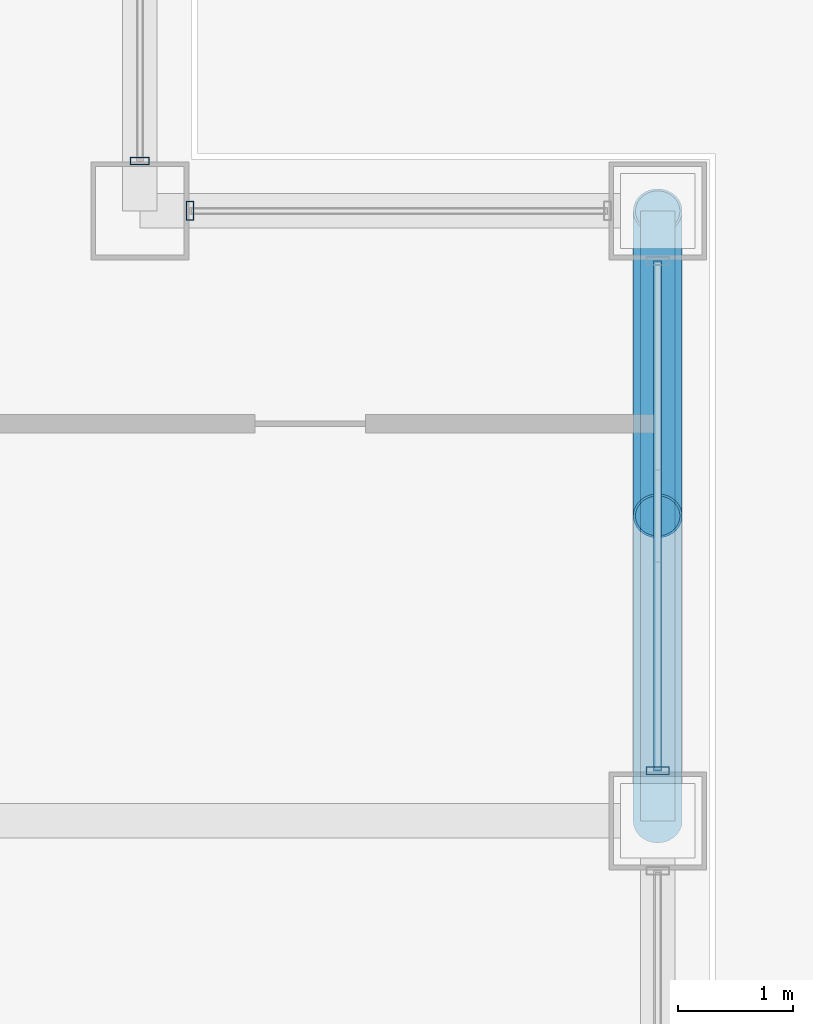
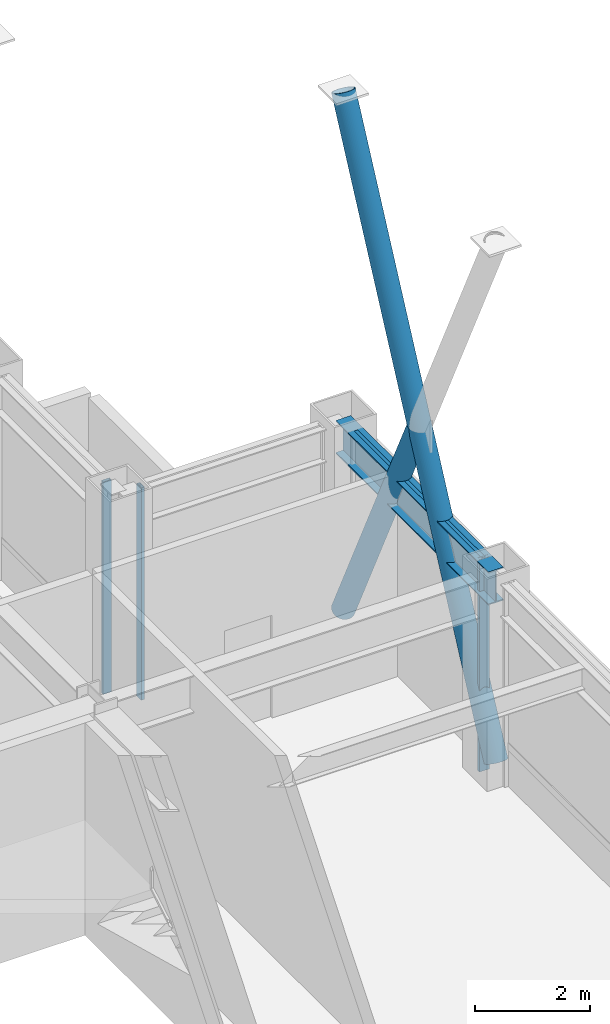
# One storey, part 24 of 32: 6 members, 1 beam, 3 elements without a shape of their own.
"""IFC4 building model written with IfcOpenShell, lengths in metres."""

from ifc_helpers import new_model, si_unit, direction, frame, origin, origin_2d, place, context, subcontext, project, spatial, hollow_rectangle, hollow_circle, i_section, extrude, material, layer, layer_set, material_profile, profile_set, type_object, element, aggregate, save


model = new_model("IFC4")

# Units and contexts
model_context = context("Model", 3, precision=1e-05, world=origin(), true_north=direction((0.0, 1.0)))
body_context = subcontext(model_context, "Body", "Model", "MODEL_VIEW")
ifc_project = project(units=[si_unit("LENGTHUNIT", "METRE"), si_unit("AREAUNIT", "SQUARE_METRE"), si_unit("VOLUMEUNIT", "CUBIC_METRE"), si_unit("PLANEANGLEUNIT", "RADIAN"), si_unit("MASSUNIT", "GRAM", prefix="KILO")], contexts=[model_context])

# Site, building, storey
site_placement = place(None, origin())
site = spatial("IfcSite", under=ifc_project, at=site_placement, CompositionType="ELEMENT")
building_placement = place(site_placement, origin())
building = spatial("IfcBuilding", under=site, at=building_placement, Name="Brelmoor Portico Tower", CompositionType="ELEMENT")
storey_placement = place(building_placement, frame((0.0, 0.0, 87.300048828125)))
storey = spatial("IfcBuildingStorey", under=building, at=storey_placement, Name="L22", CompositionType="ELEMENT", Elevation=87.300048828125)

# Beam
ifc_material_1 = material(Name="Steel Q355B", Category="steel")
ifc_material_profile_1 = material_profile(ifc_material_1, i_section(OverallWidth=0.300048828125, OverallDepth=0.699951171875, WebThickness=0.012939453125, FlangeThickness=0.02392578125, at=origin_2d()), Name="HN 700x300x13x24")
ifc_profile_set_1 = profile_set([ifc_material_profile_1], Name="Steel Q355B")
beam_type = type_object("IfcBeamType", Name="BM-SP-700", PredefinedType="SPANDREL", material=ifc_profile_set_1)
beam_placement = place(storey_placement, frame((22.550048828125, 9.75, 3.949951171875), z_axis=(0.0, 1.0, 0.0), x_axis=(-1.0, 0.0, 0.0)))
element("IfcBeam", 1, at=beam_placement, inside=storey, type_object=beam_type, Name="L22 Perimeter Spandrel Beam SP-24", PredefinedType="SPANDREL", context=body_context, shape_type="SweptSolid", body=[
    extrude(i_section(OverallWidth=0.300048828125, OverallDepth=0.699951171875, WebThickness=0.012939453125, FlangeThickness=0.02392578125, at=origin_2d()), origin(), (0.0, 0.0, 1.0), 5.300048828125),
])

# Members
ifc_material_profile_2 = material_profile(ifc_material_1, hollow_circle(Radius=0.212890625, WallThickness=0.02001953125, at=origin_2d()), Name="CHS 426x20")
ifc_profile_set_2 = profile_set([ifc_material_profile_2], Name="Steel Q355B")
member_type_1 = type_object("IfcMemberType", Name="MB-BELT-DIAG1", PredefinedType="BRACE", material=ifc_profile_set_2)
member_1_placement = place(storey_placement, frame((22.550048828125, 9.75, 0.25), z_axis=(0.0, 0.434065090661, 0.900881511116), x_axis=(-1.0, 0.0, 0.0)))
element("IfcMember", 2, at=member_1_placement, inside=storey, type_object=member_type_1, Name="L22 Continuous Mega-X Brace 049A", PredefinedType="BRACE", context=body_context, shape_type="SweptSolid", body=[
    extrude(hollow_circle(Radius=0.212890625, WallThickness=0.02001953125, at=origin_2d()), origin(), (0.0, 0.0, 1.0), 12.210205078125),
])
member_2_placement = place(storey_placement, frame((22.550048828125, 15.050048828125, 0.25), z_axis=(0.0, -0.434081317903, 0.900873692283), x_axis=(1.0, 0.0, 0.0)))
element("IfcMember", 3, at=member_2_placement, inside=storey, type_object=member_type_1, Name="L22 Split Mega-X Brace 049B1", PredefinedType="BRACE", context=body_context, shape_type="SweptSolid", body=[
    extrude(hollow_circle(Radius=0.212890625, WallThickness=0.02001953125, at=origin_2d()), origin(), (0.0, 0.0, 1.0), 6.105224609375),
])

# Curtain wall, member
ifc_material_2 = material(Name="Anodised Aluminium Alloy 6063-T6", Category="aluminium")
ifc_layer_1 = layer(ifc_material_2, 0.179931640625)
ifc_layer_set_1 = layer_set([ifc_layer_1], Name="Anodised Aluminium Alloy 6063-T6")
curtain_wall_type_1 = type_object("IfcCurtainWallType", Name="CW-NOTCH-CHAMFER", PredefinedType="NOTDEFINED", material=ifc_layer_set_1)
curtain_wall_1_placement = place(storey_placement, origin())
curtain_wall_1 = element("IfcCurtainWall", 4, at=curtain_wall_1_placement, inside=storey, type_object=curtain_wall_type_1, Name="L22 Curtain Wall CWN-L22-NEH", PredefinedType="NOTDEFINED")
ifc_material_profile_3 = material_profile(ifc_material_2, hollow_rectangle(XDim=0.06494140625, YDim=0.1650390625, WallThickness=0.00390625, at=origin_2d()), Name="ALU MULLION 65x165")
ifc_profile_set_3 = profile_set([ifc_material_profile_3], Name="Anodised Aluminium Alloy 6063-T6")
member_type_2 = type_object("IfcMemberType", Name="MB-CW-MULL-165", PredefinedType="MULLION", material=ifc_profile_set_3)
member_3_placement = place(storey_placement, frame((18.485107421875, 15.050048828125, -0.199951171875), z_axis=(0.0, 0.0, 1.0), x_axis=(1.0, 0.0, 0.0)))
member_3 = element("IfcMember", 5, at=member_3_placement, type_object=member_type_2, Name="CWN-L22-NEH Mullion 00", PredefinedType="MULLION", context=body_context, shape_type="SweptSolid", body=[
    extrude(hollow_rectangle(XDim=0.06494140625, YDim=0.1650390625, WallThickness=0.00390625, at=origin_2d()), origin(), (0.0, 0.0, 1.0), 4.5),
])
aggregate(curtain_wall_1, [member_3])

curtain_wall_2_placement = place(storey_placement, origin())
curtain_wall_2 = element("IfcCurtainWall", 6, at=curtain_wall_2_placement, inside=storey, type_object=curtain_wall_type_1, Name="L22 Curtain Wall CWN-L22-NEV", PredefinedType="NOTDEFINED")
member_4_placement = place(storey_placement, frame((18.050048828125, 15.485107421875, -0.199951171875), z_axis=(0.0, 0.0, 1.0), x_axis=(0.0, 1.0, 0.0)))
member_4 = element("IfcMember", 7, at=member_4_placement, type_object=member_type_2, Name="CWN-L22-NEV Mullion 00", PredefinedType="MULLION", context=body_context, shape_type="SweptSolid", body=[
    extrude(hollow_rectangle(XDim=0.06494140625, YDim=0.1650390625, WallThickness=0.00390625, at=origin_2d()), origin(), (0.0, 0.0, 1.0), 4.5),
])
aggregate(curtain_wall_2, [member_4])

# Curtain wall, members
ifc_layer_2 = layer(ifc_material_2, 0.179931640625)
ifc_layer_set_2 = layer_set([ifc_layer_2], Name="Anodised Aluminium Alloy 6063-T6")
curtain_wall_type_2 = type_object("IfcCurtainWallType", Name="CW-SKYLOBBY-XB", PredefinedType="NOTDEFINED", material=ifc_layer_set_2)
curtain_wall_3_placement = place(storey_placement, origin())
curtain_wall_3 = element("IfcCurtainWall", 8, at=curtain_wall_3_placement, inside=storey, type_object=curtain_wall_type_2, Name="L22 Curtain Wall CW-L22-04-3", PredefinedType="NOTDEFINED")
ifc_material_profile_4 = material_profile(ifc_material_2, hollow_rectangle(XDim=0.070068359375, YDim=0.199951171875, WallThickness=0.00439453125, at=origin_2d()), Name="ALU MULLION 70x200")
ifc_profile_set_4 = profile_set([ifc_material_profile_4], Name="Anodised Aluminium Alloy 6063-T6")
member_type_3 = type_object("IfcMemberType", Name="MB-CW-MULL-200", PredefinedType="MULLION", material=ifc_profile_set_4)
member_5_placement = place(storey_placement, frame((22.550048828125, 10.18505859375, -0.199951171875), z_axis=(0.0, 0.0, 1.0), x_axis=(0.0, 1.0, 0.0)))
member_5 = element("IfcMember", 9, at=member_5_placement, type_object=member_type_3, Name="CW-L22-04-3 Mullion 00", PredefinedType="MULLION", context=body_context, shape_type="SweptSolid", body=[
    extrude(hollow_rectangle(XDim=0.070068359375, YDim=0.199951171875, WallThickness=0.00439453125, at=origin_2d()), origin(), (0.0, 0.0, 1.0), 4.5),
])
ifc_material_profile_5 = material_profile(ifc_material_2, hollow_rectangle(XDim=0.070068359375, YDim=0.159912109375, WallThickness=0.00390625, at=origin_2d()), Name="ALU TRANSOM 70x160")
ifc_profile_set_5 = profile_set([ifc_material_profile_5], Name="Anodised Aluminium Alloy 6063-T6")
member_type_4 = type_object("IfcMemberType", Name="MB-CW-TRAN-160", PredefinedType="USERDEFINED", material=ifc_profile_set_5)
member_6_placement = place(storey_placement, frame((22.550048828125, 10.18505859375, 4.219970703125), z_axis=(0.0, 1.0, 0.0), x_axis=(-1.0, 0.0, 0.0)))
member_6 = element("IfcMember", 10, at=member_6_placement, type_object=member_type_4, Name="CW-L22-04-3 Transom 1-00", ObjectType="TRANSOM", PredefinedType="USERDEFINED", context=body_context, shape_type="SweptSolid", body=[
    extrude(hollow_rectangle(XDim=0.070068359375, YDim=0.159912109375, WallThickness=0.00390625, at=origin_2d()), origin(), (0.0, 0.0, 1.0), 4.429931640625),
])
aggregate(curtain_wall_3, [member_5, member_6])

save(model, "model.ifc")
